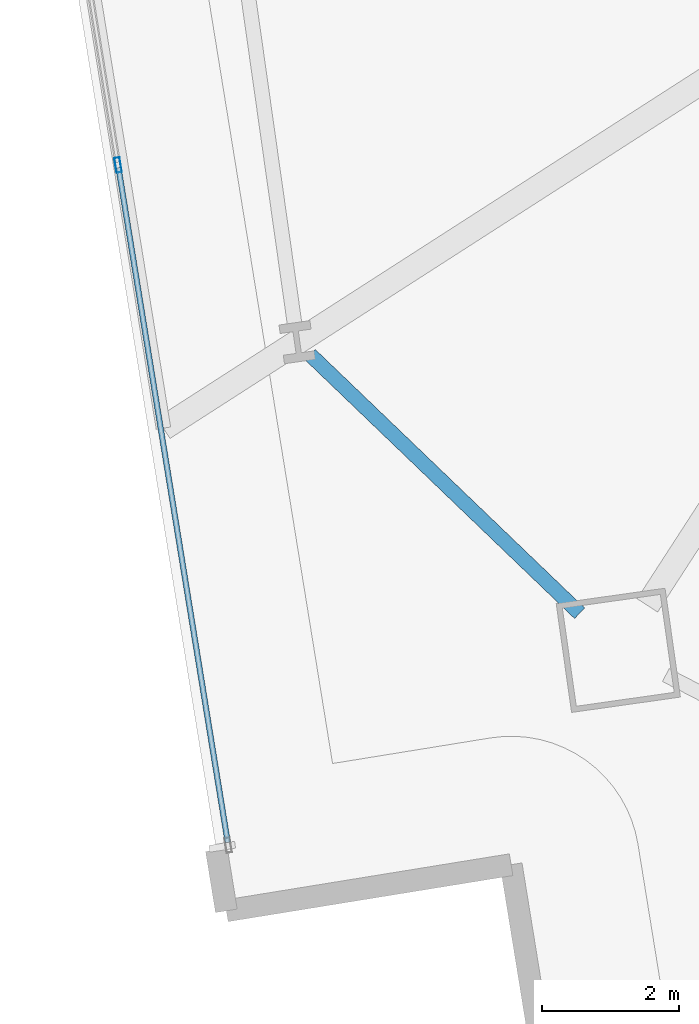
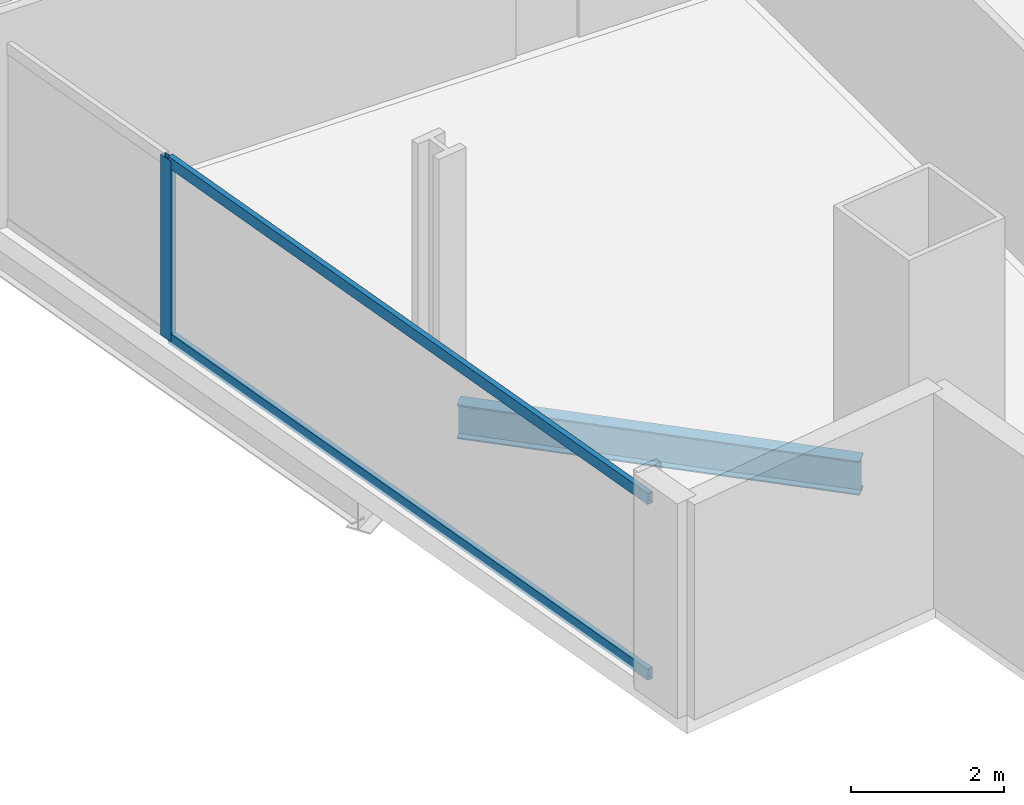
# One storey, part 3 of 33: 3 members, 1 beam, 1 element without a shape of its own.
"""IFC4 building model written with IfcOpenShell, lengths in metres."""

from ifc_helpers import new_model, si_unit, direction, frame, origin, origin_2d, place, context, subcontext, project, spatial, hollow_rectangle, i_section, extrude, material, material_profile, profile_set, type_object, element, aggregate, save


model = new_model("IFC4")

# Units and contexts
model_context = context("Model", 3, precision=1e-05, world=origin(), true_north=direction((0.0, 1.0)))
body_context = subcontext(model_context, "Body", "Model", "MODEL_VIEW")
ifc_project = project(units=[si_unit("LENGTHUNIT", "METRE"), si_unit("AREAUNIT", "SQUARE_METRE"), si_unit("VOLUMEUNIT", "CUBIC_METRE"), si_unit("PLANEANGLEUNIT", "RADIAN"), si_unit("MASSUNIT", "GRAM", prefix="KILO")], contexts=[model_context])

# Site, building, storey
site_placement = place(None, origin())
site = spatial("IfcSite", under=ifc_project, at=site_placement, CompositionType="ELEMENT")
building_placement = place(site_placement, origin())
building = spatial("IfcBuilding", under=site, at=building_placement, Name="Haldenkirk Collegiate Tower", CompositionType="ELEMENT")
storey_placement = place(building_placement, frame((0.0, 0.0, 58.949951171875)))
storey = spatial("IfcBuildingStorey", under=building, at=storey_placement, Name="L13", CompositionType="ELEMENT", Elevation=58.949951171875)

# Beam
ifc_material_1 = material(Name="Steel ASTM A992 Grade 50", Category="steel")
ifc_material_profile_1 = material_profile(ifc_material_1, i_section(OverallWidth=0.2119140625, OverallDepth=0.5439453125, WebThickness=0.01318359375, FlangeThickness=0.021240234375, at=origin_2d()), Name="W21X83")
ifc_profile_set_1 = profile_set([ifc_material_profile_1], Name="Steel ASTM A992 Grade 50")
beam_type = type_object("IfcBeamType", Name="BM-SPANDREL-W21X83", PredefinedType="SPANDREL", material=ifc_profile_set_1)
beam_placement = place(storey_placement, frame((14.212890625, 9.47412109375, -0.58203125), z_axis=(0.721492362326, -0.692422393561, 0.0), x_axis=(0.692422393561, 0.721492362326, 0.0)))
element("IfcBeam", 1, at=beam_placement, inside=storey, type_object=beam_type, Name="L13 perimeter spandrel beam 16", PredefinedType="SPANDREL", context=body_context, shape_type="SweptSolid", body=[
    extrude(i_section(OverallWidth=0.2119140625, OverallDepth=0.5439453125, WebThickness=0.01318359375, FlangeThickness=0.021240234375, at=origin_2d()), origin(), (0.0, 0.0, 1.0), 5.433837890625),
])

# Curtain wall, members
ifc_material_2 = material(Name="Anodised architectural bronze aluminium", Category="aluminium")
curtain_wall_type = type_object("IfcCurtainWallType", Name="CW-SYS1-CONVEX-LOW", PredefinedType="USERDEFINED", material=ifc_material_2)
curtain_wall_placement = place(storey_placement, origin())
curtain_wall = element("IfcCurtainWall", 2, at=curtain_wall_placement, inside=storey, type_object=curtain_wall_type, Name="L13 Lower tower convex bronze-framed unitised curtain wall", ObjectType="UNITISED CURTAIN WALL", PredefinedType="USERDEFINED")
ifc_material_profile_2 = material_profile(ifc_material_2, hollow_rectangle(XDim=0.080078125, YDim=0.219970703125, WallThickness=0.0048828125, at=origin_2d()), Name="CW-MUL-1A")
ifc_profile_set_2 = profile_set([ifc_material_profile_2], Name="Anodised architectural bronze aluminium")
member_type_1 = type_object("IfcMemberType", Name="CW-MUL-1A", PredefinedType="MULLION", material=ifc_profile_set_2)
member_1_placement = place(storey_placement, frame((11.414306640625, 12.23583984375, 0.0), z_axis=(0.0, 0.0, 1.0), x_axis=(-0.987136314905, -0.15988088002, 0.0)))
member_1 = element("IfcMember", 3, at=member_1_placement, type_object=member_type_1, Name="CW-1A mullion 2", PredefinedType="MULLION", context=body_context, shape_type="SweptSolid", body=[
    extrude(hollow_rectangle(XDim=0.080078125, YDim=0.219970703125, WallThickness=0.0048828125, at=origin_2d()), origin(), (0.0, 0.0, 1.0), 2.89111328125),
])
ifc_material_profile_3 = material_profile(ifc_material_2, hollow_rectangle(XDim=0.080078125, YDim=0.179931640625, WallThickness=0.0048828125, at=origin_2d()), Name="CW-TRN-1A")
ifc_profile_set_3 = profile_set([ifc_material_profile_3], Name="Anodised architectural bronze aluminium")
member_type_2 = type_object("IfcMemberType", Name="CW-TRN-1A", PredefinedType="USERDEFINED", material=ifc_profile_set_3)
member_2_placement = place(storey_placement, frame((13.011474609375, 2.375732421875, 0.0400390625), z_axis=(-0.159876636244, 0.987137002236, 0.0), x_axis=(-0.987137002236, -0.159876636244, 0.0)))
member_2 = element("IfcMember", 4, at=member_2_placement, type_object=member_type_2, Name="CW-1A transom 1.1", ObjectType="TRANSOM", PredefinedType="USERDEFINED", context=body_context, shape_type="SweptSolid", body=[
    extrude(hollow_rectangle(XDim=0.080078125, YDim=0.179931640625, WallThickness=0.0048828125, at=origin_2d()), origin(), (0.0, 0.0, 1.0), 9.94873046875),
])
member_3_placement = place(storey_placement, frame((13.011474609375, 2.375732421875, 2.85107421875), z_axis=(-0.159876636244, 0.987137002236, 0.0), x_axis=(-0.987137002236, -0.159876636244, 0.0)))
member_3 = element("IfcMember", 5, at=member_3_placement, type_object=member_type_2, Name="CW-1A transom 1.2", ObjectType="TRANSOM", PredefinedType="USERDEFINED", context=body_context, shape_type="SweptSolid", body=[
    extrude(hollow_rectangle(XDim=0.080078125, YDim=0.179931640625, WallThickness=0.0048828125, at=origin_2d()), origin(), (0.0, 0.0, 1.0), 9.94873046875),
])
aggregate(curtain_wall, [member_1, member_2, member_3])

save(model, "model.ifc")
